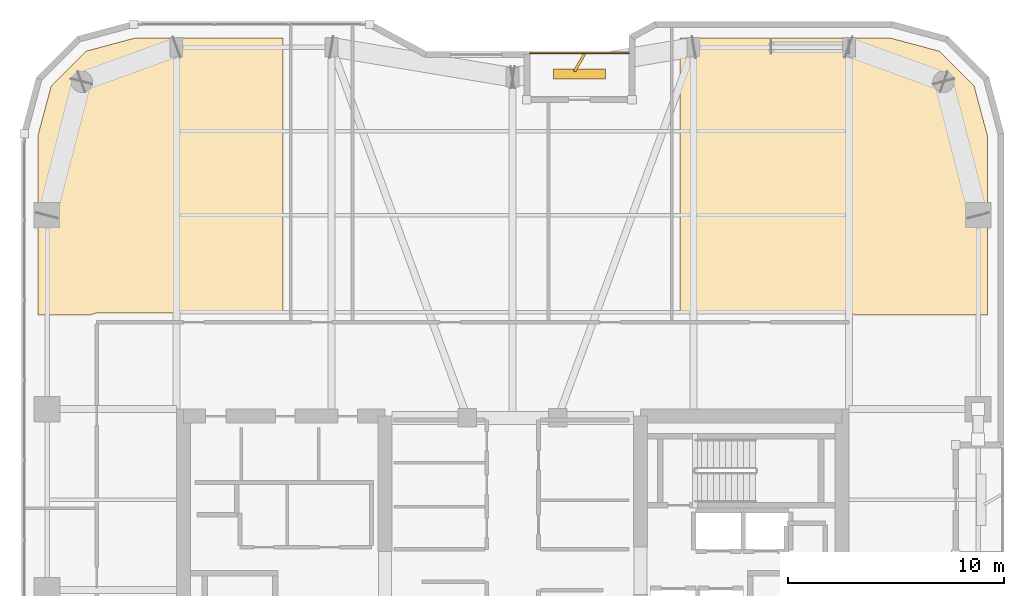
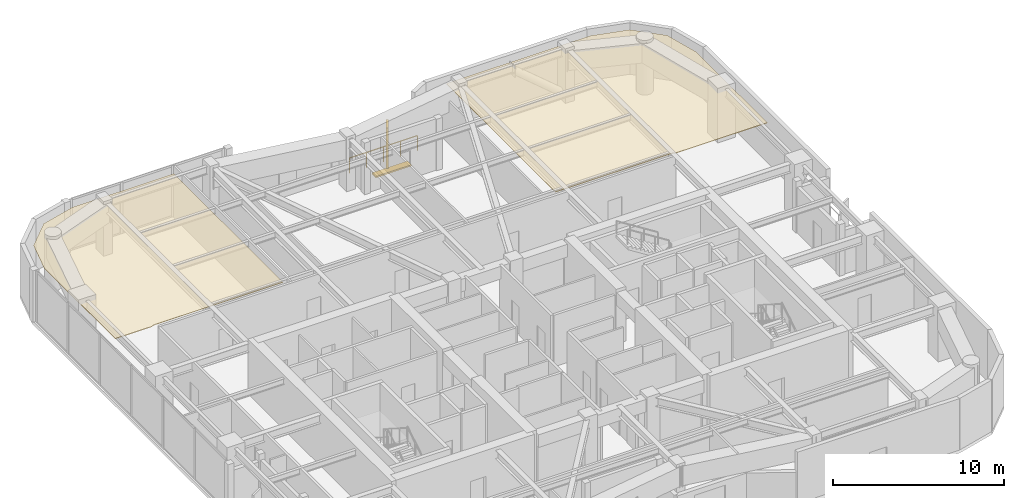
# One storey, part 21 of 21: 2 coverings, 2 shading devices, 1 railing.
"""IFC4 building model written with IfcOpenShell, lengths in metres."""

from ifc_helpers import new_model, si_unit, direction, frame, origin, origin_2d, place, context, subcontext, project, spatial, polyline, rectangle, outline, extrude, material, layer, layer_set, type_object, element, save


model = new_model("IFC4")

# Units and contexts
model_context = context("Model", 3, precision=1e-05, world=origin(), true_north=direction((0.0, 1.0)))
body_context = subcontext(model_context, "Body", "Model", "MODEL_VIEW")
ifc_project = project(units=[si_unit("LENGTHUNIT", "METRE"), si_unit("AREAUNIT", "SQUARE_METRE"), si_unit("VOLUMEUNIT", "CUBIC_METRE"), si_unit("PLANEANGLEUNIT", "RADIAN"), si_unit("MASSUNIT", "GRAM", prefix="KILO")], contexts=[model_context])

# Site, building, storey
site_placement = place(None, origin())
site = spatial("IfcSite", under=ifc_project, at=site_placement, CompositionType="ELEMENT")
building_placement = place(site_placement, origin())
building = spatial("IfcBuilding", under=site, at=building_placement, Name="Kiyonajd Concourse Tower", CompositionType="ELEMENT")
storey_placement = place(building_placement, frame((0.0, 0.0, 227.10009765625)))
storey = spatial("IfcBuildingStorey", under=building, at=storey_placement, Name="L57", CompositionType="ELEMENT", Elevation=227.10009765625)

# Coverings
ifc_material_1 = material(Name="Natural Oak Acoustic Timber Veneer", Category="wood")
ifc_layer = layer(ifc_material_1, 0.0400390625)
ifc_layer_set = layer_set([ifc_layer], Name="Natural Oak Acoustic Timber Veneer")
covering_type = type_object("IfcCoveringType", Name="CV-CLG-ACST", PredefinedType="CEILING", material=ifc_layer_set)
covering_1_placement = place(storey_placement, frame((0.0, 0.0, 3.5)))
element("IfcCovering", 1, at=covering_1_placement, inside=storey, type_object=covering_type, Name="L57-46 Room Acoustic Ceiling", PredefinedType="CEILING", context=body_context, shape_type="SweptSolid", body=[
    extrude(outline(polyline([(28.197998046875, 61.011962890625), (30.5009765625, 61.6298828125), (37.35009765625, 61.6298828125), (37.35009765625, 48.860107421875), (28.699951171875, 48.860107421875), (28.570068359375, 48.840087890625), (28.507080078125, 48.81396484375), (28.451904296875, 48.780029296875), (25.969970703125, 48.780029296875), (25.969970703125, 57.09912109375), (26.587890625, 59.402099609375), (28.197998046875, 61.011962890625)])), origin(), (0.0, 0.0, 1.0), 0.039794921875),
])
covering_2_placement = place(storey_placement, frame((0.0, 0.0, 3.5)))
element("IfcCovering", 2, at=covering_2_placement, inside=storey, type_object=covering_type, Name="L57-50 Room Acoustic Ceiling", PredefinedType="CEILING", context=body_context, shape_type="SweptSolid", body=[
    extrude(outline(polyline([(63.847900390625, 48.780029296875), (63.79296875, 48.81396484375), (63.72998046875, 48.840087890625), (63.60009765625, 48.860107421875), (55.760009765625, 48.860107421875), (55.760009765625, 61.6298828125), (65.4990234375, 61.6298828125), (67.802001953125, 61.011962890625), (69.412109375, 59.402099609375), (70.030029296875, 57.09912109375), (70.030029296875, 48.780029296875), (63.847900390625, 48.780029296875)])), origin(), (0.0, 0.0, 1.0), 0.039794921875),
])

# Railing
ifc_material_2 = material(Name="Thermally Broken Anodised Aluminium", Category="aluminium")
railing_type = type_object("IfcRailingType", Name="RL-GRD-LOG", PredefinedType="GUARDRAIL", material=ifc_material_2)
railing_placement = place(storey_placement, frame((53.39990234375, 60.919921875, 0.0)))
element("IfcRailing", 3, at=railing_placement, inside=storey, type_object=railing_type, Name="L57 Engawa Loggia Perimeter Guard LOG-N", PredefinedType="GUARDRAIL", context=body_context, shape_type="SweptSolid", body=[
    extrude(rectangle(XDim=0.048095703125, YDim=0.048095703125, at=origin_2d()), frame((0.0, 0.0, 1.076171875), z_axis=(-1.0, 0.0, 0.0), x_axis=(0.0, -1.0, 0.0)), (0.0, 0.0, 1.0), 4.599853515625),
    extrude(rectangle(XDim=0.0419921875, YDim=0.0419921875, at=origin_2d()), origin(), (0.0, 0.0, 1.0), 1.052001953125),
    extrude(rectangle(XDim=0.0419921875, YDim=0.0419921875, at=origin_2d()), frame((-1.14990234375, 0.0, 0.0)), (0.0, 0.0, 1.0), 1.052001953125),
    extrude(rectangle(XDim=0.0419921875, YDim=0.0419921875, at=origin_2d()), frame((-2.2998046875, 0.0, 0.0)), (0.0, 0.0, 1.0), 1.052001953125),
    extrude(rectangle(XDim=0.0419921875, YDim=0.0419921875, at=origin_2d()), frame((-3.449951171875, 0.0, 0.0)), (0.0, 0.0, 1.0), 1.052001953125),
    extrude(rectangle(XDim=0.0419921875, YDim=0.0419921875, at=origin_2d()), frame((-4.599853515625, 0.0, 0.0)), (0.0, 0.0, 1.0), 1.052001953125),
])

# Shading devices
ifc_material_3 = material(Name="Precast concrete C50/60", Category="concrete")
shading_device_type_1 = type_object("IfcShadingDeviceType", Name="SH-FIN-900", PredefinedType="USERDEFINED", material=ifc_material_3)
shading_device_1_placement = place(storey_placement, frame((51.10009765625, 60.469970703125, 0.0), z_axis=(0.0, 0.0, 1.0), x_axis=(0.5, 0.866025403784, 0.0)))
element("IfcShadingDevice", 4, at=shading_device_1_placement, inside=storey, type_object=shading_device_type_1, Name="L57 Angled Koshi Solar Fin LOG-N", ObjectType="FIN", PredefinedType="USERDEFINED", context=body_context, shape_type="SweptSolid", body=[
    extrude(rectangle(XDim=0.89990234375, YDim=0.1201171875, at=origin_2d()), origin(), (0.0, 0.0, 1.0), 3.0),
])
shading_device_type_2 = type_object("IfcShadingDeviceType", Name="SH-LVR-600", PredefinedType="JALOUSIE", material=ifc_material_2)
shading_device_2_placement = place(storey_placement, frame((51.10009765625, 59.949951171875, -0.000244140625), z_axis=(0.0, 0.0, 1.0), x_axis=(1.0, 0.0, 0.0)))
element("IfcShadingDevice", 5, at=shading_device_2_placement, inside=storey, type_object=shading_device_type_2, Name="L57 Loggia Threshold Louver LOG-N", PredefinedType="JALOUSIE", context=body_context, shape_type="SweptSolid", body=[
    extrude(rectangle(XDim=2.39990234375, YDim=0.449951171875, at=origin_2d()), origin(), (0.0, 0.0, 1.0), 0.10009765625),
])

save(model, "model.ifc")
